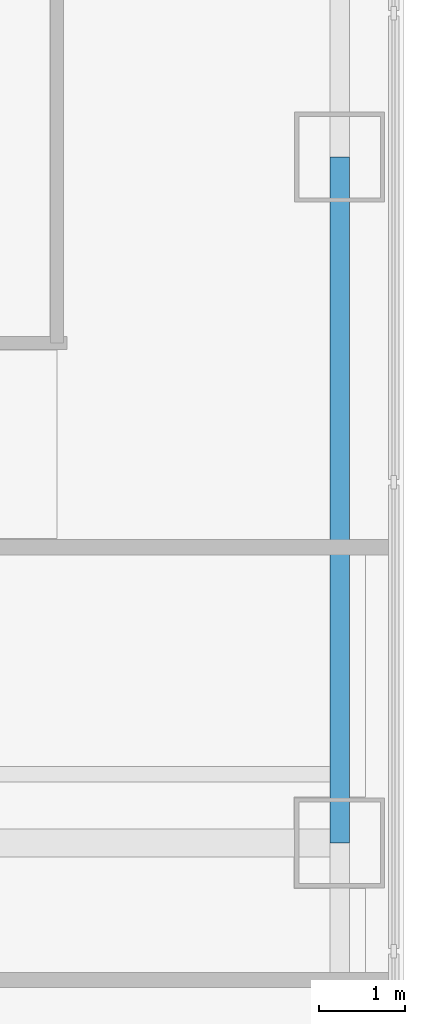
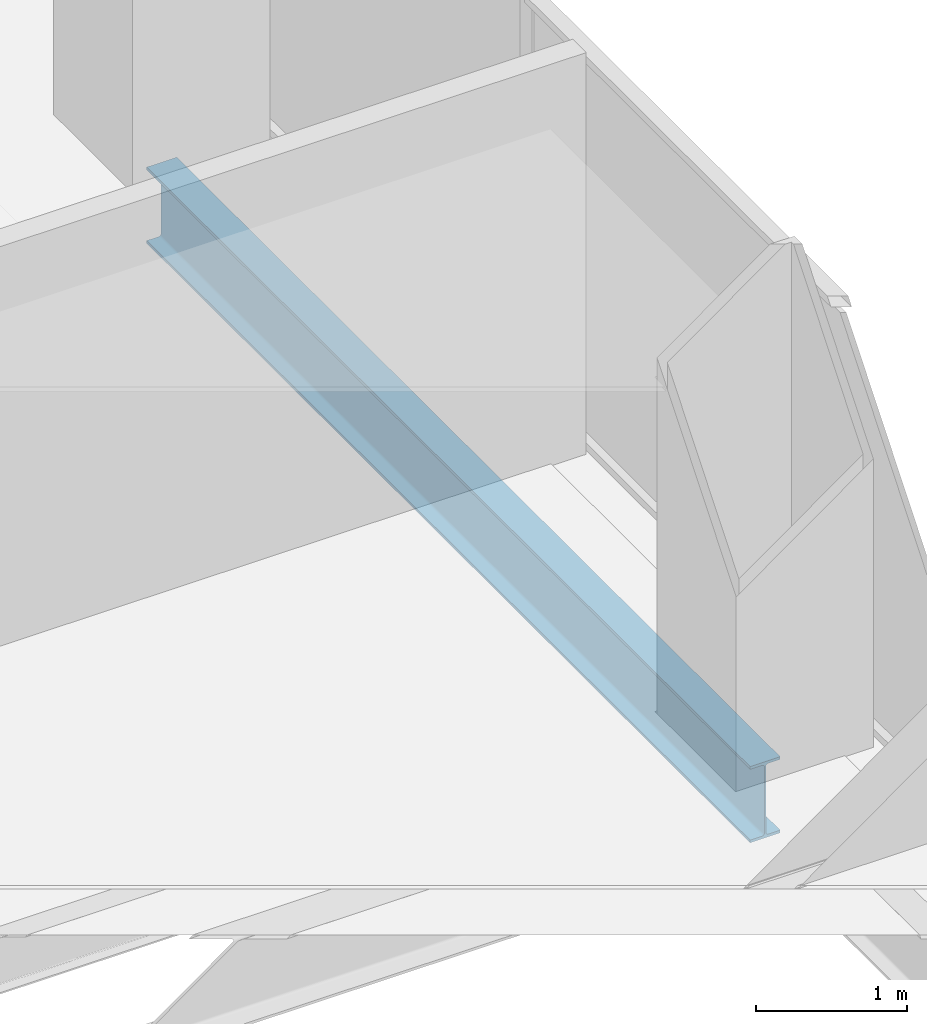
# One storey, part 7 of 16: 1 beam.
"""IFC4 building model written with IfcOpenShell, lengths in metres."""

import ifcopenshell
import ifcopenshell.guid

model = None  # the IFC model being written
_history = None  # IfcOwnerHistory: only IFC2X3 demands one
_inside = {}  # id of a spatial element -> (the spatial element, [elements in it])
_under = {}  # id of a project, library or spatial element -> (it, [spatial elements below it])
_declared = {}  # id of a project -> (the project, [libraries it declares])
_typed = {}  # id of a type object -> (the type object, [elements of that type])
_made_of = {}  # id of a material, layer set ... -> (it, [elements and type objects made of it])


def new_model(schema):
    """Start an empty IFC model of exactly this schema.

    Asked for "IFC4X3", IfcOpenShell would pick the latest addendum, in which some entities
    have other attributes; the version numbers below select the first issue.
    IFC2X3 requires an IfcOwnerHistory on every rooted entity: one is made here for all.
    """
    global model, _history
    if schema == "IFC4X3":
        model = ifcopenshell.file(schema_version=(4, 3, 0, 0))
    else:
        model = ifcopenshell.file(schema=schema)
    _inside.clear()
    _under.clear()
    _declared.clear()
    _typed.clear()
    _made_of.clear()
    _history = None
    if model.schema == "IFC2X3":
        org = make("IfcOrganization", Name="unknown")
        user = make(
            "IfcPersonAndOrganization",
            ThePerson=make("IfcPerson", FamilyName="unknown"),
            TheOrganization=org,
        )
        app = make(
            "IfcApplication",
            ApplicationDeveloper=org,
            Version="unknown",
            ApplicationFullName="unknown",
            ApplicationIdentifier="unknown",
        )
        _history = make(
            "IfcOwnerHistory",
            OwningUser=user,
            OwningApplication=app,
            ChangeAction="ADDED",
            CreationDate=0,
        )
    return model


def make(cls, **values):
    """One entity of the class cls with the attributes given. An attribute that is None is left unset."""
    return model.create_entity(
        cls, **{name: value for name, value in values.items() if value is not None}
    )


def rooted(cls, **values):
    """An entity with a GlobalId (a new one), such as an element, a storey or a relation."""
    return make(cls, GlobalId=ifcopenshell.guid.new(), OwnerHistory=_history, **values)


def si_unit(unit_type, name, prefix=None):
    """IfcSIUnit, for example si_unit("LENGTHUNIT", "METRE", prefix="MILLI")."""
    return make("IfcSIUnit", UnitType=unit_type, Prefix=prefix, Name=name)


def assignment(units):
    """IfcUnitAssignment: the units of a project."""
    return None if units is None else make("IfcUnitAssignment", Units=units)


def point(xyz):
    """IfcCartesianPoint."""
    return None if xyz is None else make("IfcCartesianPoint", Coordinates=xyz)


def direction(xyz):
    """IfcDirection."""
    return None if xyz is None else make("IfcDirection", DirectionRatios=xyz)


def frame(location, z_axis=None, x_axis=None):
    """IfcAxis2Placement3D, a coordinate frame: its origin and axes. An axis left out is left unset."""
    return make(
        "IfcAxis2Placement3D",
        Location=point(location),
        Axis=direction(z_axis),
        RefDirection=direction(x_axis),
    )


def frame_2d(location, x_axis=None):
    """IfcAxis2Placement2D, a coordinate frame in the plane: its origin and x axis."""
    return make(
        "IfcAxis2Placement2D", Location=point(location), RefDirection=direction(x_axis)
    )


def origin():
    """The frame at (0, 0, 0) with its axes left unset."""
    return frame((0.0, 0.0, 0.0))


def origin_2d():
    """The frame at (0, 0) in the plane with its x axis left unset."""
    return frame_2d((0.0, 0.0))


def place(relative_to, where):
    """IfcLocalPlacement: puts the frame where relative to a parent placement (None: the world)."""
    return make(
        "IfcLocalPlacement", PlacementRelTo=relative_to, RelativePlacement=where
    )


def context(
    kind, dimensions, precision=None, world=None, true_north=None, identifier=None
):
    """IfcGeometricRepresentationContext, for example the 3D "Model" context."""
    return make(
        "IfcGeometricRepresentationContext",
        ContextIdentifier=identifier,
        ContextType=kind,
        CoordinateSpaceDimension=dimensions,
        Precision=precision,
        WorldCoordinateSystem=world,
        TrueNorth=true_north,
    )


def subcontext(parent, identifier, kind, view, scale=None):
    """IfcGeometricRepresentationSubContext, for example "Body" below "Model"."""
    return make(
        "IfcGeometricRepresentationSubContext",
        ContextIdentifier=identifier,
        ContextType=kind,
        ParentContext=parent,
        TargetScale=scale,
        TargetView=view,
    )


def project(units=None, contexts=None):
    """IfcProject with its units and contexts."""
    return rooted(
        "IfcProject",
        Name="project",
        RepresentationContexts=contexts,
        UnitsInContext=assignment(units),
    )


def spatial(cls, under=None, at=None, **own):
    """A site, building, storey or space (cls), placed at a placement, below another one or the project."""
    s = rooted(cls, ObjectPlacement=at, **own)
    if under is not None:
        _under.setdefault(under.id(), (under, []))[1].append(s)
    return s


def profile(cls, at=None, kind="AREA", **sizes):
    """A parametric profile (cls). Its sizes go by their IFC names, for example OverallWidth=200.0."""
    return make(cls, ProfileType=kind, Position=at, **sizes)


def i_section(**sizes):
    """IfcIShapeProfileDef."""
    return profile("IfcIShapeProfileDef", **sizes)


def extrude(swept, where, along, depth):
    """IfcExtrudedAreaSolid: the profile swept, set in the frame where, extruded along a direction by depth."""
    return make(
        "IfcExtrudedAreaSolid",
        SweptArea=swept,
        Position=where,
        ExtrudedDirection=direction(along),
        Depth=depth,
    )


def shape(context_of_items, identifier, shape_type, items):
    """IfcShapeRepresentation: the items that make up one representation, for example the "Body"."""
    return make(
        "IfcShapeRepresentation",
        ContextOfItems=context_of_items,
        RepresentationIdentifier=identifier,
        RepresentationType=shape_type,
        Items=items,
    )


def material(Name=None, Category=None):
    """IfcMaterial."""
    return make("IfcMaterial", Name=Name, Category=Category)


def material_profile(
    of_material, cross_section, Name=None, Category=None, Priority=None
):
    """IfcMaterialProfile: a cross section and its material."""
    return make(
        "IfcMaterialProfile",
        Name=Name,
        Material=of_material,
        Profile=cross_section,
        Priority=Priority,
        Category=Category,
    )


def profile_set(profiles, Name=None, composite=None):
    """IfcMaterialProfileSet."""
    return make(
        "IfcMaterialProfileSet",
        Name=Name,
        MaterialProfiles=profiles,
        CompositeProfile=composite,
    )


def made_of(thing, what):
    """Note that an element or type object is made of a material, layer set ...; save() writes the relation."""
    if what is not None:
        _made_of.setdefault(what.id(), (what, []))[1].append(thing)
    return thing


def type_object(cls, material=None, **own):
    """A type object (cls), such as IfcWallType, which elements share."""
    return made_of(rooted(cls, **own), material)


def element(
    cls,
    number,
    at=None,
    inside=None,
    cuts=None,
    type_object=None,
    material=None,
    context=None,
    identifier="Body",
    shape_type=None,
    held_by="IfcProductDefinitionShape",
    body=None,
    shapes=None,
    **own,
):
    """One element of the class cls, such as IfcWall. Its Tag is "e" and its number.

    at: its placement. inside: the storey or other place that contains it. cuts: it is an
    opening in that element (IfcRelVoidsElement). A single representation is given by context,
    identifier, shape_type and body (its items); several are given by shapes. held_by: the class
    of the entity that holds the representations. save() writes the other relations.
    """
    e = rooted(cls, Tag="e%d" % number, ObjectPlacement=at, **own)
    if body is not None:
        shapes = [shape(context, identifier, shape_type, body)]
    if shapes is not None:
        e.Representation = make(held_by, Representations=shapes)
    if inside is not None:
        _inside.setdefault(inside.id(), (inside, []))[1].append(e)
    if cuts is not None:
        rooted(
            "IfcRelVoidsElement", RelatingBuildingElement=cuts, RelatedOpeningElement=e
        )
    if type_object is not None:
        _typed.setdefault(type_object.id(), (type_object, []))[1].append(e)
    return made_of(e, material)


def aggregate(whole, parts):
    """IfcRelAggregates: a whole, such as a stair, and the parts it consists of."""
    return rooted("IfcRelAggregates", RelatingObject=whole, RelatedObjects=parts)


def save(model, path):
    """Write the relations noted so far, then the file.

    IfcRelAggregates (storeys below a building ...), IfcRelContainedInSpatialStructure (elements
    in a storey), IfcRelDefinesByType, IfcRelAssociatesMaterial and IfcRelDeclares: one each for
    every whole, place, type object, material and project.
    """
    for whole, parts in _under.values():
        aggregate(whole, parts)
    for where, things in _inside.values():
        rooted(
            "IfcRelContainedInSpatialStructure",
            RelatedElements=things,
            RelatingStructure=where,
        )
    for kind, things in _typed.values():
        rooted("IfcRelDefinesByType", RelatedObjects=things, RelatingType=kind)
    for what, things in _made_of.values():
        rooted("IfcRelAssociatesMaterial", RelatedObjects=things, RelatingMaterial=what)
    for by, libraries in _declared.values():
        rooted("IfcRelDeclares", RelatingContext=by, RelatedDefinitions=libraries)
    model.write(path)


model = new_model("IFC4")

# Units and contexts
model_context = context("Model", 3, precision=1e-05, world=origin(), true_north=direction((0.0, 1.0)))
body_context = subcontext(model_context, "Body", "Model", "MODEL_VIEW")
ifc_project = project(units=[si_unit("LENGTHUNIT", "METRE"), si_unit("AREAUNIT", "SQUARE_METRE"), si_unit("VOLUMEUNIT", "CUBIC_METRE"), si_unit("PLANEANGLEUNIT", "RADIAN"), si_unit("MASSUNIT", "GRAM", prefix="KILO")], contexts=[model_context])

# Site, building, storey
site_placement = place(None, origin())
site = spatial("IfcSite", under=ifc_project, at=site_placement, CompositionType="ELEMENT")
building_placement = place(site_placement, origin())
building = spatial("IfcBuilding", under=site, at=building_placement, Name="Trevonay Congress Spire", CompositionType="ELEMENT")
storey_placement = place(building_placement, frame((0.0, 0.0, 51.5)))
storey = spatial("IfcBuildingStorey", under=building, at=storey_placement, Name="L12", CompositionType="ELEMENT", Elevation=51.5)

# Beam
ifc_material = material(Name="Steel ASTM A572 Grade 50", Category="steel")
ifc_material_profile = material_profile(ifc_material, i_section(OverallWidth=0.22998046875, OverallDepth=0.616943359375, WebThickness=0.01318359375, FlangeThickness=0.022216796875, FilletRadius=0.01611328125, at=origin_2d()), Name="W610x140")
ifc_profile_set = profile_set([ifc_material_profile], Name="Steel ASTM A572 Grade 50")
beam_type = type_object("IfcBeamType", Name="BM-RING-W610X140", PredefinedType="BEAM", material=ifc_profile_set)
beam_placement = place(storey_placement, frame((23.25, 4.0, -0.55859375), z_axis=(0.0, 1.0, 0.0), x_axis=(-1.0, 0.0, 0.0)))
element("IfcBeam", 1, at=beam_placement, inside=storey, type_object=beam_type, Name="L12 structural beam BM-L12-PE4", PredefinedType="BEAM", context=body_context, shape_type="SweptSolid", body=[
    extrude(i_section(OverallWidth=0.22998046875, OverallDepth=0.616943359375, WebThickness=0.01318359375, FlangeThickness=0.022216796875, FilletRadius=0.01611328125, at=origin_2d()), origin(), (0.0, 0.0, 1.0), 8.0),
])

save(model, "model.ifc")
